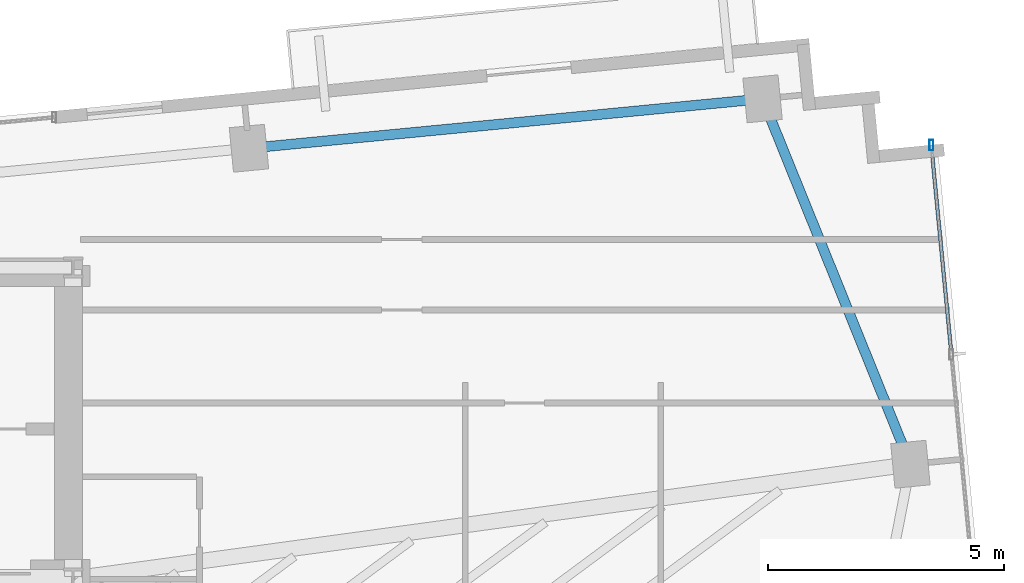
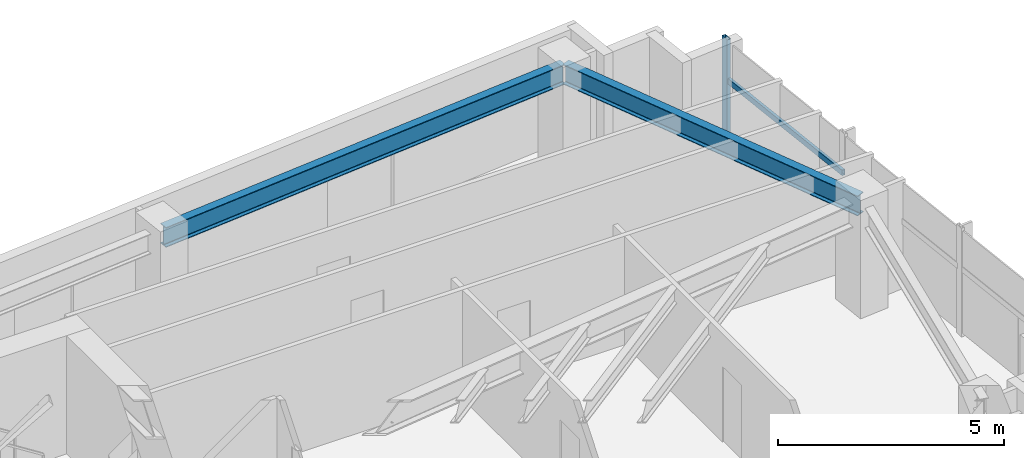
# One storey, part 11 of 18: 2 beams, 2 members, 1 element without a shape of its own.
"""IFC4 building model written with IfcOpenShell, lengths in metres."""

from ifc_helpers import new_model, si_unit, direction, frame, origin, origin_2d, place, context, subcontext, project, spatial, hollow_rectangle, i_section, extrude, source, transform, mapped, material, material_profile, profile_set, type_object, type_shapes, element, aggregate, save


model = new_model("IFC4")

# Units and contexts
model_context = context("Model", 3, precision=1e-05, world=origin(), true_north=direction((0.0, 1.0)))
body_context = subcontext(model_context, "Body", "Model", "MODEL_VIEW")
ifc_project = project(units=[si_unit("LENGTHUNIT", "METRE"), si_unit("AREAUNIT", "SQUARE_METRE"), si_unit("VOLUMEUNIT", "CUBIC_METRE"), si_unit("PLANEANGLEUNIT", "RADIAN"), si_unit("MASSUNIT", "GRAM", prefix="KILO")], contexts=[model_context])

# Site, building, storey
site_placement = place(None, origin())
site = spatial("IfcSite", under=ifc_project, at=site_placement, CompositionType="ELEMENT")
building_placement = place(site_placement, origin())
building = spatial("IfcBuilding", under=site, at=building_placement, Name="Astriad Promenade Condominiums", CompositionType="ELEMENT")
storey_placement = place(building_placement, frame((0.0, 0.0, 198.60009765625)))
storey = spatial("IfcBuildingStorey", under=building, at=storey_placement, Name="L57", CompositionType="ELEMENT", Elevation=198.60009765625)

# Beams
ifc_material_1 = material(Name="Steel ASTM A992 Grade 50", Category="steel")
ifc_material_profile_1 = material_profile(ifc_material_1, i_section(OverallWidth=0.210693359375, OverallDepth=0.53955078125, WebThickness=0.01171875, FlangeThickness=0.018798828125, FilletRadius=0.0166015625, at=origin_2d()), Name="W21X73")
ifc_profile_set_1 = profile_set([ifc_material_profile_1], Name="Steel ASTM A992 Grade 50")
beam_type = type_object("IfcBeamType", Name="STEEL SPANDREL BEAM W21X73", PredefinedType="SPANDREL", material=ifc_profile_set_1)
shared_shape_1 = source(origin(), body_context, "Body", "SweptSolid", [
    extrude(i_section(OverallWidth=0.210693359375, OverallDepth=0.53955078125, WebThickness=0.01171875, FlangeThickness=0.018798828125, FilletRadius=0.0166015625, at=origin_2d()), origin(), (0.0, 0.0, 1.0), 10.8701171875),
])
beam_1_placement = place(storey_placement, frame((60.190673828125, 27.578369140625, 2.670166015625), z_axis=(-0.995394986184, -0.09585834069, 0.0), x_axis=(0.09585834069, -0.995394986184, 0.0)))
element("IfcBeam", 1, at=beam_1_placement, inside=storey, type_object=beam_type, Name="Perimeter Spandrel Beam SP-N4-L57", PredefinedType="SPANDREL", context=body_context, shape_type="MappedRepresentation", body=[
    mapped(shared_shape_1, transform((0.0, 0.0, 0.0), scale=1.0)),
])
shared_shape_2 = source(origin(), body_context, "Body", "SweptSolid", [
    extrude(i_section(OverallWidth=0.210693359375, OverallDepth=0.53955078125, WebThickness=0.01171875, FlangeThickness=0.018798828125, FilletRadius=0.0166015625, at=origin_2d()), origin(), (0.0, 0.0, 1.0), 8.28564453125),
])
type_shapes(beam_type, [shared_shape_1, shared_shape_2])
beam_2_placement = place(storey_placement, frame((63.353271484375, 19.8642578125, 2.670166015625), z_axis=(-0.375070987134, 0.926996092014, 0.0), x_axis=(-0.926996092014, -0.375070987134, 0.0)))
element("IfcBeam", 2, at=beam_2_placement, inside=storey, type_object=beam_type, Name="Perimeter Spandrel Beam SP-E2-L57", PredefinedType="SPANDREL", context=body_context, shape_type="MappedRepresentation", body=[
    mapped(shared_shape_2, transform((0.0, 0.0, 0.0), scale=1.0)),
])

# Curtain wall, members
ifc_material_2 = material(Name="Anodised aluminium Black Dark Glass Unitised", Category="aluminium")
curtain_wall_type = type_object("IfcCurtainWallType", Name="CW-B34-DARK", PredefinedType="USERDEFINED", material=ifc_material_2)
curtain_wall_placement = place(storey_placement, origin())
curtain_wall = element("IfcCurtainWall", 3, at=curtain_wall_placement, inside=storey, type_object=curtain_wall_type, Name="CW-L57-E", ObjectType="UNITISED_CURTAIN_WALL", PredefinedType="USERDEFINED")
ifc_material_3 = material(Name="Anodised aluminium 6063-T6 Black", Category="aluminium")
ifc_material_profile_2 = material_profile(ifc_material_3, hollow_rectangle(XDim=0.0849609375, YDim=0.219970703125, WallThickness=0.0048828125, at=origin_2d()), Name="ALU-MUL-85X220")
ifc_profile_set_2 = profile_set([ifc_material_profile_2], Name="Anodised aluminium 6063-T6 Black")
member_type_1 = type_object("IfcMemberType", Name="MUL-ALU-MUL-85X220", PredefinedType="MULLION", material=ifc_profile_set_2)
shared_shape_3 = source(origin(), body_context, "Body", "SweptSolid", [
    extrude(hollow_rectangle(XDim=0.0849609375, YDim=0.219970703125, WallThickness=0.0048828125, at=origin_2d()), origin(), (0.0, 0.0, 1.0), 2.93994140625),
])
type_shapes(member_type_1, [shared_shape_3])
member_1_placement = place(storey_placement, frame((63.81103515625, 26.6005859375, 0.0), z_axis=(0.0, 0.0, 1.0), x_axis=(1.0, 0.0, 0.0)))
member_1 = element("IfcMember", 4, at=member_1_placement, type_object=member_type_1, Name="CW-L57-E-MUL-00", PredefinedType="MULLION", context=body_context, shape_type="MappedRepresentation", body=[
    mapped(shared_shape_3, transform((0.0, 0.0, 0.0), scale=1.0)),
])
ifc_material_profile_3 = material_profile(ifc_material_3, hollow_rectangle(XDim=0.074951171875, YDim=0.14990234375, WallThickness=0.004150390625, at=origin_2d()), Name="ALU-TRN-75X150")
ifc_profile_set_3 = profile_set([ifc_material_profile_3], Name="Anodised aluminium 6063-T6 Black")
member_type_2 = type_object("IfcMemberType", Name="TRN-ALU-TRN-75X150", PredefinedType="USERDEFINED", material=ifc_profile_set_3)
shared_shape_4 = source(origin(), body_context, "Body", "SweptSolid", [
    extrude(hollow_rectangle(XDim=0.074951171875, YDim=0.14990234375, WallThickness=0.004150390625, at=origin_2d()), origin(), (0.0, 0.0, 1.0), 4.466552734375),
])
type_shapes(member_type_2, [shared_shape_4])
member_2_placement = place(storey_placement, frame((63.81103515625, 26.6005859375, 1.82275390625), z_axis=(0.095817598554, -0.995398908884, 0.0), x_axis=(0.995398908884, 0.095817598554, 0.0)))
member_2 = element("IfcMember", 5, at=member_2_placement, type_object=member_type_2, Name="CW-L57-E-TRN-00-0", ObjectType="TRANSOM", PredefinedType="USERDEFINED", context=body_context, shape_type="MappedRepresentation", body=[
    mapped(shared_shape_4, transform((0.0, 0.0, 0.0), scale=1.0)),
])
aggregate(curtain_wall, [member_1, member_2])

save(model, "model.ifc")
